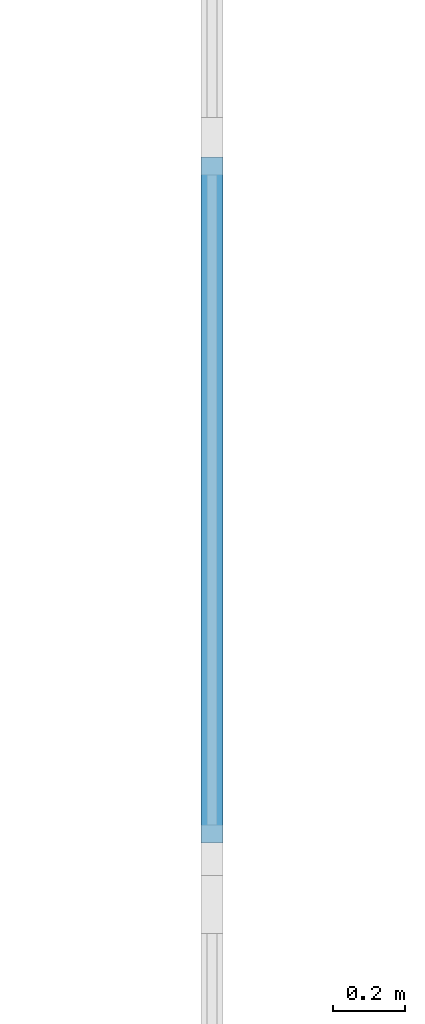
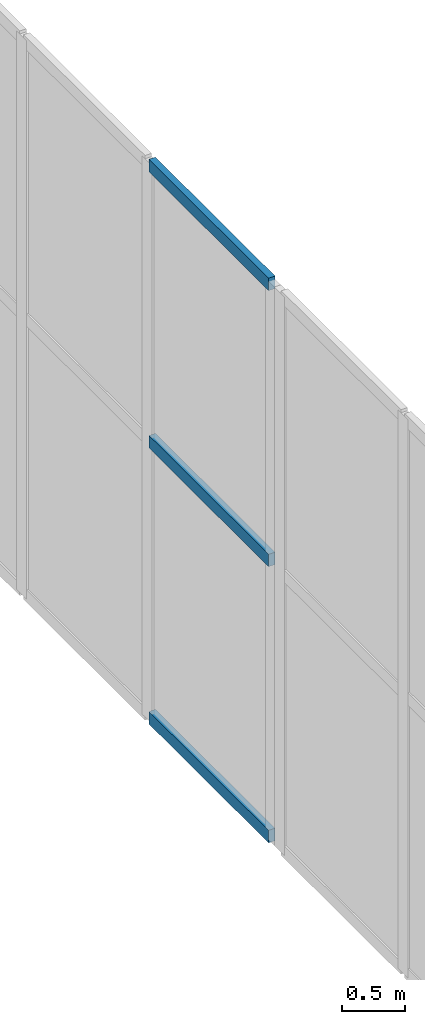
# One storey, part 45 of 170: 3 members, 1 element without a shape of its own.
"""IFC4 building model written with IfcOpenShell, lengths in metres."""

from ifc_helpers import new_model, si_unit, direction, frame, origin, origin_2d, place, context, subcontext, project, spatial, rectangle, extrude, material, layer, layer_set, material_profile, profile_set, type_object, element, aggregate, save


model = new_model("IFC4")

# Units and contexts
model_context = context("Model", 3, precision=1e-05, world=origin(), true_north=direction((0.0, 1.0)))
body_context = subcontext(model_context, "Body", "Model", "MODEL_VIEW")
ifc_project = project(units=[si_unit("LENGTHUNIT", "METRE"), si_unit("AREAUNIT", "SQUARE_METRE"), si_unit("VOLUMEUNIT", "CUBIC_METRE"), si_unit("PLANEANGLEUNIT", "RADIAN"), si_unit("MASSUNIT", "GRAM", prefix="KILO")], contexts=[model_context])

# Site, building, storey
site_placement = place(None, origin())
site = spatial("IfcSite", under=ifc_project, at=site_placement, CompositionType="ELEMENT")
building_placement = place(site_placement, origin())
building = spatial("IfcBuilding", under=site, at=building_placement, Name="Ravi Spectrum Wholesale Market", CompositionType="ELEMENT")
storey_placement = place(building_placement, frame((0.0, 0.0, 5.39990234375)))
storey = spatial("IfcBuildingStorey", under=building, at=storey_placement, Name="L01", CompositionType="ELEMENT", Elevation=5.39990234375)

# Curtain wall, members
ifc_material_1 = material(Name="Aluminium 6063-T6", Category="aluminium")
ifc_layer = layer(ifc_material_1, 0.14990234375)
ifc_layer_set = layer_set([ifc_layer], Name="Aluminium 6063-T6")
curtain_wall_type = type_object("IfcCurtainWallType", Name="Curtain wall 150", PredefinedType="NOTDEFINED", material=ifc_layer_set)
curtain_wall_placement = place(storey_placement, origin())
curtain_wall = element("IfcCurtainWall", 1, at=curtain_wall_placement, inside=storey, type_object=curtain_wall_type, Name="H1-CW-L01-010", PredefinedType="NOTDEFINED")
ifc_material_2 = material(Name="Aluminium 6063-T6", Category="aluminium")
ifc_material_profile = material_profile(ifc_material_2, rectangle(XDim=0.06005859375, YDim=0.1201171875, at=origin_2d()))
ifc_profile_set = profile_set([ifc_material_profile], Name="Aluminium 6063-T6")
member_type = type_object("IfcMemberType", Name="Transom 60 x 120", PredefinedType="USERDEFINED", material=ifc_profile_set)
member_1_placement = place(storey_placement, frame((37.0, 138.10009765625, 0.030029296875), z_axis=(0.0, 1.0, 0.0), x_axis=(-1.0, 0.0, 0.0)))
member_1 = element("IfcMember", 2, at=member_1_placement, type_object=member_type, Name="H1-CW-L01-010 transom 1.1", ObjectType="TRANSOM", PredefinedType="USERDEFINED", context=body_context, shape_type="SweptSolid", body=[
    extrude(rectangle(XDim=0.06005859375, YDim=0.1201171875, at=origin_2d()), origin(), (0.0, 0.0, 1.0), 1.896484375),
])
member_2_placement = place(storey_placement, frame((37.0, 138.10009765625, 2.7001953125), z_axis=(0.0, 1.0, 0.0), x_axis=(-1.0, 0.0, 0.0)))
member_2 = element("IfcMember", 3, at=member_2_placement, type_object=member_type, Name="H1-CW-L01-010 transom 1.2", ObjectType="TRANSOM", PredefinedType="USERDEFINED", context=body_context, shape_type="SweptSolid", body=[
    extrude(rectangle(XDim=0.06005859375, YDim=0.1201171875, at=origin_2d()), origin(), (0.0, 0.0, 1.0), 1.896484375),
])
member_3_placement = place(storey_placement, frame((37.0, 138.10009765625, 5.3701171875), z_axis=(0.0, 1.0, 0.0), x_axis=(-1.0, 0.0, 0.0)))
member_3 = element("IfcMember", 4, at=member_3_placement, type_object=member_type, Name="H1-CW-L01-010 transom 1.3", ObjectType="TRANSOM", PredefinedType="USERDEFINED", context=body_context, shape_type="SweptSolid", body=[
    extrude(rectangle(XDim=0.06005859375, YDim=0.1201171875, at=origin_2d()), origin(), (0.0, 0.0, 1.0), 1.896484375),
])
aggregate(curtain_wall, [member_1, member_2, member_3])

save(model, "model.ifc")
